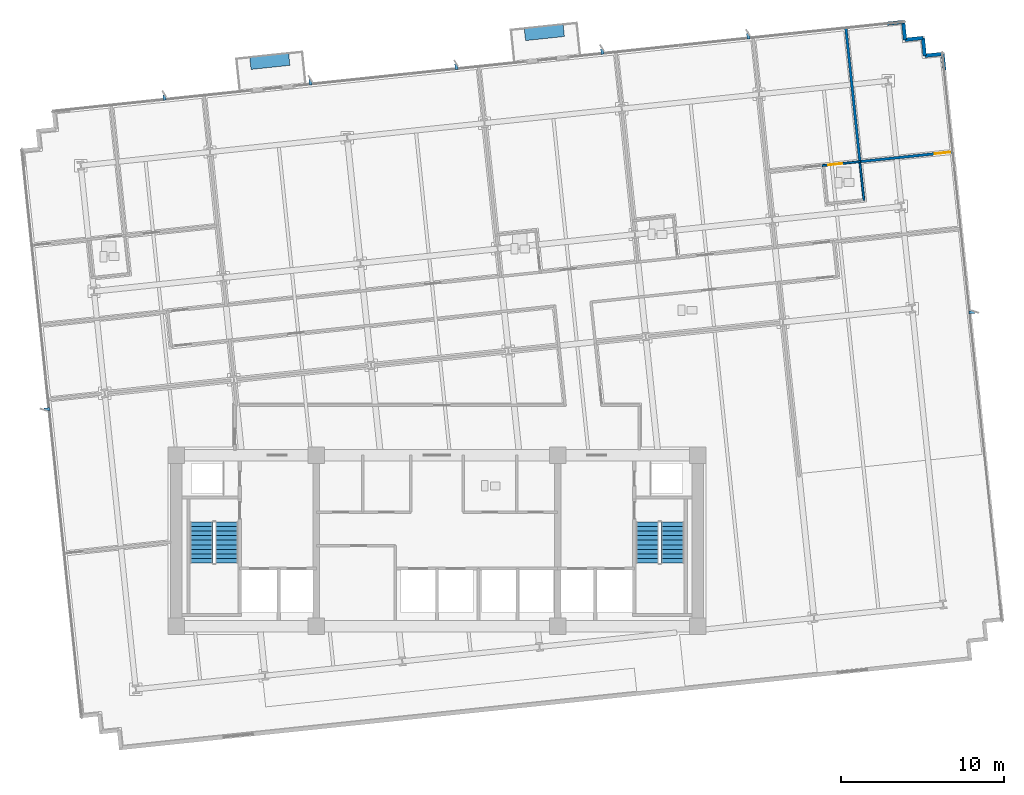
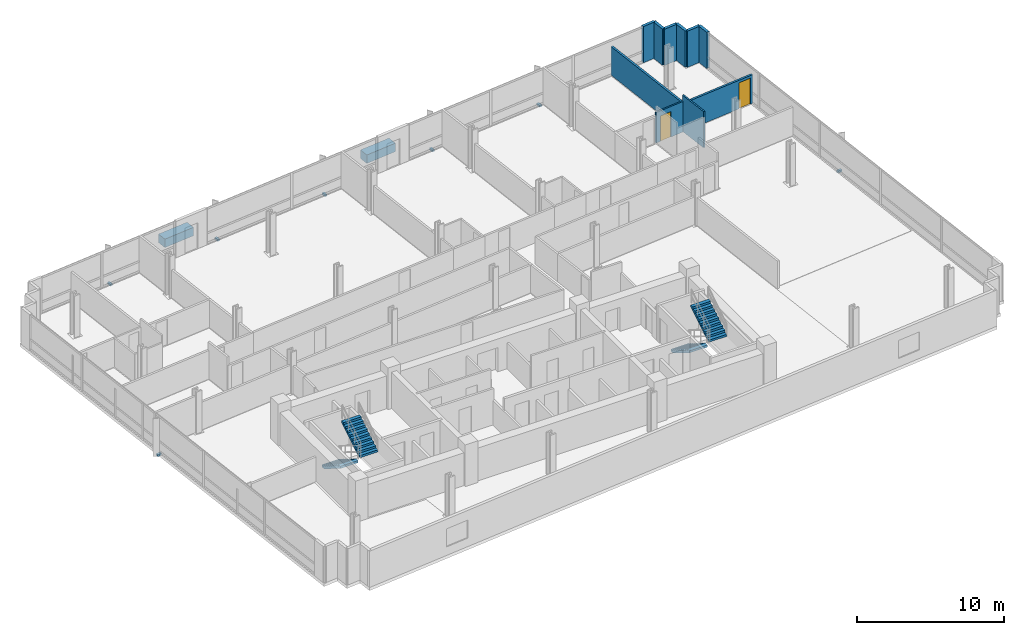
# One storey, part 13 of 18: 10 walls, 9 discrete accessories, 4 stair flights, 2 doors, 2 openings, 2 elements without a shape of their own.
"""IFC4 building model written with IfcOpenShell, lengths in metres."""

from ifc_helpers import new_model, si_unit, direction, frame, frame_2d, origin, origin_2d, place, context, subcontext, project, spatial, polyline, rectangle, outline, extrude, material, layer, layer_set, type_object, element, fill, aggregate, save


model = new_model("IFC4")

# Units and contexts
model_context = context("Model", 3, precision=1e-05, world=origin(), true_north=direction((0.0, 1.0)))
body_context = subcontext(model_context, "Body", "Model", "MODEL_VIEW")
ifc_project = project(units=[si_unit("LENGTHUNIT", "METRE"), si_unit("AREAUNIT", "SQUARE_METRE"), si_unit("VOLUMEUNIT", "CUBIC_METRE"), si_unit("PLANEANGLEUNIT", "RADIAN"), si_unit("MASSUNIT", "GRAM", prefix="KILO")], contexts=[model_context])

# Site, building, storey
site_placement = place(None, origin())
site = spatial("IfcSite", under=ifc_project, at=site_placement, CompositionType="ELEMENT")
building_placement = place(site_placement, origin())
building = spatial("IfcBuilding", under=site, at=building_placement, Name="Solmavex Isthmus Hotel", CompositionType="ELEMENT")
storey_placement = place(building_placement, frame((0.0, 0.0, 127.050048828125)))
storey = spatial("IfcBuildingStorey", under=building, at=storey_placement, Name="L34", CompositionType="ELEMENT", Elevation=127.050048828125)

# Walls
ifc_material_1 = material(Name="Precast Concrete C40/50", Category="concrete")
ifc_layer_1 = layer(ifc_material_1, 0.25)
ifc_layer_set_1 = layer_set([ifc_layer_1], Name="Precast Concrete C40/50")
wall_type_1 = type_object("IfcWallType", Name="EW-TWR-250", PredefinedType="STANDARD", material=ifc_layer_set_1)
wall_1_placement = place(storey_placement, frame((27.609130859375, 23.966552734375, 0.0), z_axis=(0.0, 0.0, 1.0), x_axis=(0.994516259927, 0.104582067016, 0.0)))
element("IfcWall", 1, at=wall_1_placement, inside=storey, type_object=wall_type_1, Name="Serrated Corner Facade Panel L34-14", PredefinedType="STANDARD", context=body_context, shape_type="SweptSolid", body=[
    extrude(rectangle(XDim=0.98974609375, YDim=0.219970703125, at=frame_2d((0.494873046875, 0.0))), origin(), (0.0, 0.0, 1.0), 3.0),
])
for number, where, z_axis, x_axis, name in (
    (2, (28.593505859375, 24.070068359375, 0.0), (0.0, 0.0, 1.0), (0.104534592565, -0.994521251134, 0.0), "Serrated Corner Facade Panel L34-15"),
    (3, (28.70849609375, 22.97607421875, 0.0), (0.0, 0.0, 1.0), (0.994521251134, 0.104534592565, 0.0), "Serrated Corner Facade Panel L34-16"),
    (4, (29.802490234375, 23.091064453125, 0.0), (0.0, 0.0, 1.0), (0.104534592565, -0.994521251134, 0.0), "Serrated Corner Facade Panel L34-17"),
    (5, (29.91748046875, 21.9970703125, 0.0), (0.0, 0.0, 1.0), (0.994521251134, 0.104534592565, 0.0), "Serrated Corner Facade Panel L34-18"),
):
    element("IfcWall", number, at=place(storey_placement, frame(where, z_axis=z_axis, x_axis=x_axis)), inside=storey, type_object=wall_type_1, Name=name, PredefinedType="STANDARD", context=body_context, shape_type="SweptSolid", body=[
        extrude(rectangle(XDim=1.10009765625, YDim=0.219970703125, at=frame_2d((0.550048828125, 0.0))), origin(), (0.0, 0.0, 1.0), 3.0),
    ])
wall_2_placement = place(storey_placement, frame((31.011474609375, 22.112060546875, 0.0), z_axis=(0.0, 0.0, 1.0), x_axis=(0.104556418955, -0.99451895671, 0.0)))
element("IfcWall", 6, at=wall_2_placement, inside=storey, type_object=wall_type_1, Name="Serrated Corner Facade Panel L34-19", PredefinedType="STANDARD", context=body_context, shape_type="SweptSolid", body=[
    extrude(rectangle(XDim=0.989990234375, YDim=0.219970703125, at=frame_2d((0.4951171875, 0.0))), origin(), (0.0, 0.0, 1.0), 3.0),
])

# Wall, opening, door
ifc_material_2 = material(Name="Gypsum plasterboard lining", Category="gypsum")
ifc_layer_2 = layer(ifc_material_2, 0.159912109375)
ifc_layer_set_2 = layer_set([ifc_layer_2], Name="Gypsum plasterboard lining")
wall_type_2 = type_object("IfcWallType", Name="IW-COMP-160", PredefinedType="PARTITIONING", material=ifc_layer_set_2)
wall_3_placement = place(storey_placement, frame((25.890869140625, 15.49853515625, 0.0), z_axis=(0.0, 0.0, 1.0), x_axis=(0.994522696848, 0.104520837413, 0.0)))
wall_3 = element("IfcWall", 7, at=wall_3_placement, inside=storey, type_object=wall_type_2, Name="Interior Partition Wall W-L34-P049", PredefinedType="PARTITIONING", context=body_context, shape_type="SweptSolid", body=[
    extrude(rectangle(XDim=5.813720703125, YDim=0.159912109375, at=frame_2d((2.90673828125, 0.0))), origin(), (0.0, 0.0, 1.0), 2.363037109375),
])
opening_1_placement = place(wall_3_placement, frame((4.654052734375, 0.0, 0.0)))
opening_1 = element("IfcOpeningElement", 8, at=opening_1_placement, cuts=wall_3, Name="Opening ID-C095", PredefinedType="OPENING", context=body_context, shape_type="SweptSolid", body=[
    extrude(rectangle(XDim=0.949951171875, YDim=2.14990234375, at=frame_2d((0.47509765625, 1.074951171875))), frame((0.0, 0.08984375, 0.0), z_axis=(0.0, -1.0, 0.0), x_axis=(1.0, 0.0, 0.0)), (0.0, 0.0, 1.0), 0.179931640625),
])
ifc_material_3 = material(Name="Hardwood timber", Category="wood")
door_type_1 = type_object("IfcDoorType", Name="IDR-FD60-0950", OperationType="NOTDEFINED", PredefinedType="DOOR", material=ifc_material_3)
door_1_placement = place(opening_1_placement, origin())
door_1 = element("IfcDoor", 9, at=door_1_placement, inside=storey, type_object=door_type_1, Name="Ambassador Panorama Suite Panorama Sitting Study Door L34-12", OperationType="SINGLE_SWING_RIGHT", OverallHeight=2.14990234375, OverallWidth=0.949951171875, PredefinedType="DOOR", context=body_context, shape_type="SweptSolid", body=[
    extrude(rectangle(XDim=0.949951171875, YDim=2.14990234375, at=frame_2d((0.47509765625, 1.074951171875))), frame((0.0, 0.02490234375, 0.0), z_axis=(0.0, -1.0, 0.0), x_axis=(1.0, 0.0, 0.0)), (0.0, 0.0, 1.0), 0.050048828125),
])
fill(opening_1, door_1)

# Walls
wall_4_placement = place(storey_placement, frame((25.075927734375, 23.73046875, 0.0), z_axis=(0.0, 0.0, 1.0), x_axis=(0.104504368376, -0.994524427548, 0.0)))
element("IfcWall", 10, at=wall_4_placement, inside=storey, type_object=wall_type_2, Name="Interior Partition Wall W-L34-P054", PredefinedType="PARTITIONING", context=body_context, shape_type="SweptSolid", body=[
    extrude(rectangle(XDim=8.31201171875, YDim=0.159912109375, at=frame_2d((4.156005859375, 0.0))), origin(), (0.0, 0.0, 1.0), 2.363037109375),
])
ifc_layer_3 = layer(ifc_material_2, 0.1201171875)
ifc_layer_set_3 = layer_set([ifc_layer_3], Name="Gypsum plasterboard lining")
wall_type_3 = type_object("IfcWallType", Name="IW-PART-120", PredefinedType="PARTITIONING", material=ifc_layer_set_3)
wall_5_placement = place(storey_placement, frame((26.1904296875, 13.126953125, 0.0), z_axis=(0.0, 0.0, 1.0), x_axis=(-0.108711078051, 0.994073388392, 0.0)))
element("IfcWall", 11, at=wall_5_placement, inside=storey, type_object=wall_type_3, Name="Interior Partition Wall W-L34-P052", PredefinedType="PARTITIONING", context=body_context, shape_type="SweptSolid", body=[
    extrude(rectangle(XDim=2.429931640625, YDim=0.1201171875, at=frame_2d((1.21484375, 0.0))), origin(), (0.0, 0.0, 1.0), 3.0),
])

# Wall, opening, door
wall_6_placement = place(storey_placement, frame((25.980224609375, 15.508056640625, 0.0), z_axis=(0.0, 0.0, 1.0), x_axis=(-0.994516727228, -0.104577623149, 0.0)))
wall_6 = element("IfcWall", 12, at=wall_6_placement, inside=storey, type_object=wall_type_3, Name="Interior Partition Wall W-L34-P055", PredefinedType="PARTITIONING", context=body_context, shape_type="SweptSolid", body=[
    extrude(rectangle(XDim=2.371826171875, YDim=0.1201171875, at=frame_2d((1.18603515625, 0.0))), origin(), (0.0, 0.0, 1.0), 2.528076171875),
])
opening_2_placement = place(wall_6_placement, frame((1.14599609375, 0.0, 0.0)))
opening_2 = element("IfcOpeningElement", 13, at=opening_2_placement, cuts=wall_6, Name="Opening ID-U085", PredefinedType="OPENING", context=body_context, shape_type="SweptSolid", body=[
    extrude(rectangle(XDim=0.85009765625, YDim=2.10009765625, at=frame_2d((0.425048828125, 1.050048828125))), frame((0.0, 0.070068359375, 0.0), z_axis=(0.0, -1.0, 0.0), x_axis=(1.0, 0.0, 0.0)), (0.0, 0.0, 1.0), 0.14013671875),
])
door_type_2 = type_object("IfcDoorType", Name="IDR-UNR-0850", OperationType="NOTDEFINED", PredefinedType="DOOR", material=ifc_material_3)
door_2_placement = place(opening_2_placement, frame((0.85009765625, 0.0, 0.0), z_axis=(0.0, 0.0, 1.0), x_axis=(-1.0, 0.0, 0.0)))
door_2 = element("IfcDoor", 14, at=door_2_placement, inside=storey, type_object=door_type_2, Name="En-suite Bathroom Door L34-13", OperationType="SINGLE_SWING_LEFT", OverallHeight=2.10009765625, OverallWidth=0.85009765625, PredefinedType="DOOR", context=body_context, shape_type="SweptSolid", body=[
    extrude(rectangle(XDim=0.85009765625, YDim=2.10009765625, at=frame_2d((0.425048828125, 1.050048828125))), frame((0.0, 0.02490234375, 0.0), z_axis=(0.0, -1.0, 0.0), x_axis=(1.0, 0.0, 0.0)), (0.0, 0.0, 1.0), 0.050048828125),
])
fill(opening_2, door_2)

# Stair, stair flights
ifc_material_4 = material(Name="Concrete C40/50", Category="concrete")
stair_type_1 = type_object("IfcStairType", Name="STR-ST-1", PredefinedType="HALF_TURN_STAIR", material=ifc_material_4)
stair_1_placement = place(storey_placement, origin())
stair_1 = element("IfcStair", 15, at=stair_1_placement, inside=storey, type_object=stair_type_1, Name="L34 Protected Exit Stair ST-1", PredefinedType="HALF_TURN_STAIR")
stair_flight_type_1 = type_object("IfcStairFlightType", Name="SFL-ST-1", PredefinedType="STRAIGHT", material=ifc_material_4)
stair_flight_1_placement = place(storey_placement, frame((-14.449951171875, -6.60009765625, 0.0), z_axis=(0.0, 0.0, 1.0), x_axis=(0.0, -1.0, 0.0)))
stair_flight_1 = element("IfcStairFlight", 16, at=stair_flight_1_placement, type_object=stair_flight_type_1, Name="ST-1 flight 1", NumberOfRisers=10, NumberOfTreads=9, PredefinedType="STRAIGHT", RiserHeight=0.1725, TreadLength=0.28, context=body_context, shape_type="SweptSolid", body=[
    extrude(outline(polyline([(0.0, 0.0), (0.0, 0.172607421875), (0.280029296875, 0.172607421875), (0.280029296875, 0.344970703125), (0.56005859375, 0.344970703125), (0.56005859375, 0.517578125), (0.840087890625, 0.517578125), (0.840087890625, 0.68994140625), (1.1201171875, 0.68994140625), (1.1201171875, 0.862548828125), (1.39990234375, 0.862548828125), (1.39990234375, 1.034912109375), (1.679931640625, 1.034912109375), (1.679931640625, 1.20751953125), (1.9599609375, 1.20751953125), (1.9599609375, 1.3798828125), (2.239990234375, 1.3798828125), (2.239990234375, 1.552490234375), (2.52001953125, 1.552490234375), (2.52001953125, 1.72509765625), (2.52001953125, 1.37646484375), (0.285888671875, 0.0), (0.0, 0.0)])), frame((0.0, 0.699951171875, 0.0), z_axis=(0.0, -1.0, 0.0), x_axis=(1.0, 0.0, 0.0)), (0.0, 0.0, 1.0), 1.39990234375),
])
stair_flight_2_placement = place(storey_placement, frame((-12.89990234375, -9.1201171875, 1.724853515625), z_axis=(0.0, 0.0, 1.0), x_axis=(0.0, 1.0, 0.0)))
stair_flight_2 = element("IfcStairFlight", 17, at=stair_flight_2_placement, type_object=stair_flight_type_1, Name="ST-1 flight 2", NumberOfRisers=10, NumberOfTreads=9, PredefinedType="STRAIGHT", RiserHeight=0.1725, TreadLength=0.28, context=body_context, shape_type="SweptSolid", body=[
    extrude(outline(polyline([(0.0, 0.0), (0.0, 0.172607421875), (0.280029296875, 0.172607421875), (0.280029296875, 0.344970703125), (0.56005859375, 0.344970703125), (0.56005859375, 0.517578125), (0.840087890625, 0.517578125), (0.840087890625, 0.68994140625), (1.1201171875, 0.68994140625), (1.1201171875, 0.862548828125), (1.39990234375, 0.862548828125), (1.39990234375, 1.034912109375), (1.679931640625, 1.034912109375), (1.679931640625, 1.20751953125), (1.9599609375, 1.20751953125), (1.9599609375, 1.3798828125), (2.239990234375, 1.3798828125), (2.239990234375, 1.552490234375), (2.52001953125, 1.552490234375), (2.52001953125, 1.72509765625), (2.52001953125, 1.37646484375), (0.285888671875, 0.0), (0.0, 0.0)])), frame((0.0, 0.699951171875, 0.0), z_axis=(0.0, -1.0, 0.0), x_axis=(1.0, 0.0, 0.0)), (0.0, 0.0, 1.0), 1.39990234375),
])
aggregate(stair_1, [stair_flight_1, stair_flight_2])

stair_type_2 = type_object("IfcStairType", Name="STR-ST-2", PredefinedType="HALF_TURN_STAIR", material=ifc_material_4)
stair_2_placement = place(storey_placement, origin())
stair_2 = element("IfcStair", 18, at=stair_2_placement, inside=storey, type_object=stair_type_2, Name="L34 Protected Exit Stair ST-2", PredefinedType="HALF_TURN_STAIR")
stair_flight_type_2 = type_object("IfcStairFlightType", Name="SFL-ST-2", PredefinedType="STRAIGHT", material=ifc_material_4)
stair_flight_3_placement = place(storey_placement, frame((12.89990234375, -6.60009765625, 0.0), z_axis=(0.0, 0.0, 1.0), x_axis=(0.0, -1.0, 0.0)))
stair_flight_3 = element("IfcStairFlight", 19, at=stair_flight_3_placement, type_object=stair_flight_type_2, Name="ST-2 flight 1", NumberOfRisers=10, NumberOfTreads=9, PredefinedType="STRAIGHT", RiserHeight=0.1725, TreadLength=0.28, context=body_context, shape_type="SweptSolid", body=[
    extrude(outline(polyline([(0.0, 0.0), (0.0, 0.172607421875), (0.280029296875, 0.172607421875), (0.280029296875, 0.344970703125), (0.56005859375, 0.344970703125), (0.56005859375, 0.517578125), (0.840087890625, 0.517578125), (0.840087890625, 0.68994140625), (1.1201171875, 0.68994140625), (1.1201171875, 0.862548828125), (1.39990234375, 0.862548828125), (1.39990234375, 1.034912109375), (1.679931640625, 1.034912109375), (1.679931640625, 1.20751953125), (1.9599609375, 1.20751953125), (1.9599609375, 1.3798828125), (2.239990234375, 1.3798828125), (2.239990234375, 1.552490234375), (2.52001953125, 1.552490234375), (2.52001953125, 1.72509765625), (2.52001953125, 1.37646484375), (0.285888671875, 0.0), (0.0, 0.0)])), frame((0.0, 0.699951171875, 0.0), z_axis=(0.0, -1.0, 0.0), x_axis=(1.0, 0.0, 0.0)), (0.0, 0.0, 1.0), 1.39990234375),
])
stair_flight_4_placement = place(storey_placement, frame((14.449951171875, -9.1201171875, 1.724853515625), z_axis=(0.0, 0.0, 1.0), x_axis=(0.0, 1.0, 0.0)))
stair_flight_4 = element("IfcStairFlight", 20, at=stair_flight_4_placement, type_object=stair_flight_type_2, Name="ST-2 flight 2", NumberOfRisers=10, NumberOfTreads=9, PredefinedType="STRAIGHT", RiserHeight=0.1725, TreadLength=0.28, context=body_context, shape_type="SweptSolid", body=[
    extrude(outline(polyline([(0.0, 0.0), (0.0, 0.172607421875), (0.280029296875, 0.172607421875), (0.280029296875, 0.344970703125), (0.56005859375, 0.344970703125), (0.56005859375, 0.517578125), (0.840087890625, 0.517578125), (0.840087890625, 0.68994140625), (1.1201171875, 0.68994140625), (1.1201171875, 0.862548828125), (1.39990234375, 0.862548828125), (1.39990234375, 1.034912109375), (1.679931640625, 1.034912109375), (1.679931640625, 1.20751953125), (1.9599609375, 1.20751953125), (1.9599609375, 1.3798828125), (2.239990234375, 1.3798828125), (2.239990234375, 1.552490234375), (2.52001953125, 1.552490234375), (2.52001953125, 1.72509765625), (2.52001953125, 1.37646484375), (0.285888671875, 0.0), (0.0, 0.0)])), frame((0.0, 0.699951171875, 0.0), z_axis=(0.0, -1.0, 0.0), x_axis=(1.0, 0.0, 0.0)), (0.0, 0.0, 1.0), 1.39990234375),
])
aggregate(stair_2, [stair_flight_3, stair_flight_4])

# Discrete accessories
ifc_material_5 = material(Name="Steel ASTM A572 Grade 50", Category="steel")
discrete_accessory_type_1 = type_object("IfcDiscreteAccessoryType", Name="ACC-BRK-FIN", PredefinedType="BRACKET", material=ifc_material_5)
for number, where, z_axis, x_axis, name in (
    (21, (-16.71044921875, 19.43896484375, -0.169921875), (0.0, 0.0, 1.0), (-0.104528463268, 0.994521895368, 0.0), "Facade Fin Support Bracket L34-N1"),
    (22, (-7.759765625, 20.3798828125, -0.169921875), (0.0, 0.0, 1.0), (-0.104528463268, 0.994521895368, 0.0), "Facade Fin Support Bracket L34-N2"),
    (23, (1.19091796875, 21.320556640625, -0.169921875), (0.0, 0.0, 1.0), (-0.104528463268, 0.994521895368, 0.0), "Facade Fin Support Bracket L34-N3"),
    (24, (10.1416015625, 22.26123046875, -0.169921875), (0.0, 0.0, 1.0), (-0.104528463268, 0.994521895368, 0.0), "Facade Fin Support Bracket L34-N4"),
    (25, (19.09228515625, 23.2021484375, -0.169921875), (0.0, 0.0, 1.0), (-0.104528463268, 0.994521895368, 0.0), "Facade Fin Support Bracket L34-N5"),
    (26, (-23.920654296875, 0.310546875, -0.169921875), (0.0, 0.0, 1.0), (-0.994521895368, -0.104528463268, 0.0), "Facade Fin Support Bracket L34-W1"),
    (27, (32.806884765625, 6.27294921875, -0.169921875), (0.0, 0.0, 1.0), (0.994521895368, 0.104528463268, 0.0), "Facade Fin Support Bracket L34-E1"),
):
    element("IfcDiscreteAccessory", number, at=place(storey_placement, frame(where, z_axis=z_axis, x_axis=x_axis)), inside=storey, type_object=discrete_accessory_type_1, Name=name, PredefinedType="BRACKET", context=body_context, shape_type="SweptSolid", body=[
        extrude(rectangle(XDim=0.340087890625, YDim=0.179931640625, at=origin_2d()), origin(), (0.0, 0.0, 1.0), 0.159912109375),
    ])
discrete_accessory_type_2 = type_object("IfcDiscreteAccessoryType", Name="ACC-PLN-BALC", PredefinedType="USERDEFINED", material=ifc_material_1)
for number, where, z_axis, x_axis, name in (
    (28, (-10.255859375, 21.656005859375, 0.0), (0.0, 0.0, 1.0), (0.994521895368, 0.104528463268, 0.0), "Tree-Balcony Architectural Planter L34-B1"),
    (29, (6.583251953125, 23.42578125, 0.0), (0.0, 0.0, 1.0), (0.994521895368, 0.104528463268, 0.0), "Tree-Balcony Architectural Planter L34-B2"),
):
    element("IfcDiscreteAccessory", number, at=place(storey_placement, frame(where, z_axis=z_axis, x_axis=x_axis)), inside=storey, type_object=discrete_accessory_type_2, Name=name, ObjectType="PLANTER", PredefinedType="USERDEFINED", context=body_context, shape_type="SweptSolid", body=[
        extrude(rectangle(XDim=2.39990234375, YDim=0.75, at=origin_2d()), origin(), (0.0, 0.0, 1.0), 0.699951171875),
    ])

save(model, "model.ifc")
